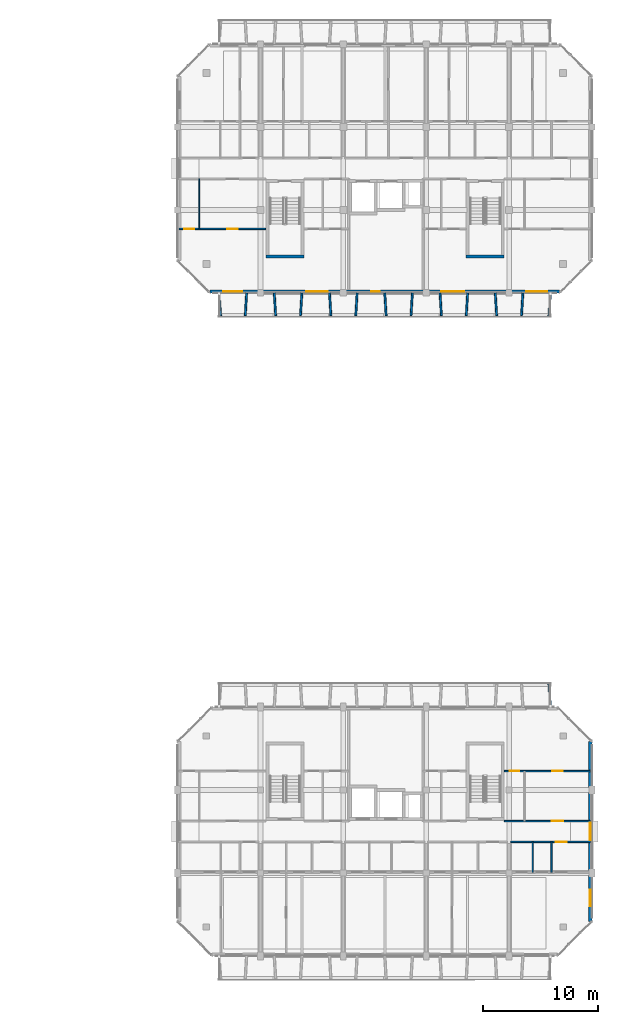
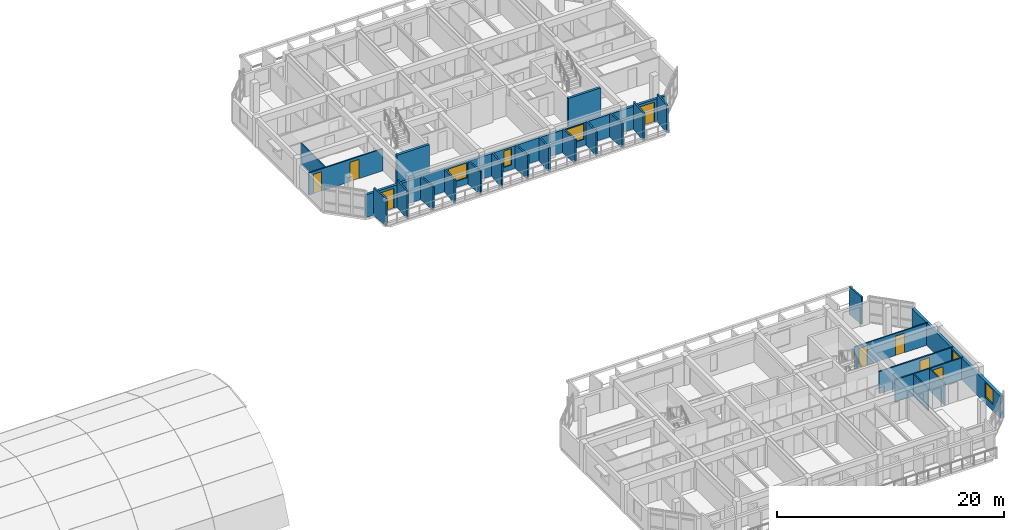
# One storey, part 32 of 51: 25 walls, 8 doors, 5 windows, 13 openings.
"""IFC4 building model written with IfcOpenShell, lengths in metres."""

from ifc_helpers import new_model, si_unit, direction, frame, frame_2d, origin, place, context, subcontext, project, spatial, rectangle, extrude, material, layer, layer_set, type_object, element, fill, save


model = new_model("IFC4")

# Units and contexts
model_context = context("Model", 3, precision=1e-05, world=origin(), true_north=direction((0.0, 1.0)))
body_context = subcontext(model_context, "Body", "Model", "MODEL_VIEW")
ifc_project = project(units=[si_unit("LENGTHUNIT", "METRE"), si_unit("AREAUNIT", "SQUARE_METRE"), si_unit("VOLUMEUNIT", "CUBIC_METRE"), si_unit("PLANEANGLEUNIT", "RADIAN"), si_unit("MASSUNIT", "GRAM", prefix="KILO")], contexts=[model_context])

# Site, building, storey
site_placement = place(None, origin())
site = spatial("IfcSite", under=ifc_project, at=site_placement, CompositionType="ELEMENT")
building_placement = place(site_placement, origin())
building = spatial("IfcBuilding", under=site, at=building_placement, Name="Ochrevale Crest", CompositionType="ELEMENT")
storey_placement = place(building_placement, frame((0.0, 0.0, 11.85009765625)))
storey = spatial("IfcBuildingStorey", under=building, at=storey_placement, Name="L03", CompositionType="ELEMENT", Elevation=11.85009765625)

# Wall, opening, door
ifc_material_1 = material(Name="Gypsum plasterboard", Category="gypsum")
ifc_layer_1 = layer(ifc_material_1, 0.139892578125)
ifc_layer_set_1 = layer_set([ifc_layer_1], Name="Gypsum plasterboard")
wall_type_1 = type_object("IfcWallType", Name="WL-COR-140", PredefinedType="PARTITIONING", material=ifc_layer_set_1)
wall_1_placement = place(storey_placement, frame((158.5400390625, 24.300048828125, 0.0), z_axis=(0.0, 0.0, 1.0), x_axis=(1.0, 0.0, 0.0)))
wall_1 = element("IfcWall", 1, at=wall_1_placement, inside=storey, type_object=wall_type_1, Name="Apartment C-L03-U5 corridor wall", PredefinedType="PARTITIONING", context=body_context, shape_type="SweptSolid", body=[
    extrude(rectangle(XDim=6.919921875, YDim=0.139892578125, at=frame_2d((3.4599609375, 0.0))), origin(), (0.0, 0.0, 1.0), 2.3798828125),
])
opening_1_placement = place(wall_1_placement, frame((3.89501953125, 0.0, 0.0)))
opening_1 = element("IfcOpeningElement", 2, at=opening_1_placement, cuts=wall_1, Name="Opening FD01", PredefinedType="OPENING", context=body_context, shape_type="SweptSolid", body=[
    extrude(rectangle(XDim=0.97998046875, YDim=2.10009765625, at=frame_2d((0.489990234375, 1.050048828125))), frame((0.0, 0.080078125, 0.0), z_axis=(0.0, -1.0, 0.0), x_axis=(1.0, 0.0, 0.0)), (0.0, 0.0, 1.0), 0.159912109375),
])
ifc_material_2 = material(Name="Solid-core FSC hardwood", Category="wood")
door_type_1 = type_object("IfcDoorType", Name="DR-APT-950", OperationType="NOTDEFINED", PredefinedType="DOOR", material=ifc_material_2)
door_1_placement = place(opening_1_placement, origin())
door_1 = element("IfcDoor", 3, at=door_1_placement, inside=storey, type_object=door_type_1, Name="Apartment C-L03-U5 entrance door", OperationType="SINGLE_SWING_LEFT", OverallHeight=2.10009765625, OverallWidth=0.97998046875, PredefinedType="DOOR", context=body_context, shape_type="SweptSolid", body=[
    extrude(rectangle(XDim=0.97998046875, YDim=2.10009765625, at=frame_2d((0.489990234375, 1.050048828125))), frame((0.0, 0.02490234375, 0.0), z_axis=(0.0, -1.0, 0.0), x_axis=(1.0, 0.0, 0.0)), (0.0, 0.0, 1.0), 0.050048828125),
])
fill(opening_1, door_1)

wall_2_placement = place(storey_placement, frame((157.989990234375, 26.10009765625, 0.0), z_axis=(0.0, 0.0, 1.0), x_axis=(1.0, 0.0, 0.0)))
wall_2 = element("IfcWall", 4, at=wall_2_placement, inside=storey, type_object=wall_type_1, Name="Suite C-L03-CE corridor wall", PredefinedType="PARTITIONING", context=body_context, shape_type="SweptSolid", body=[
    extrude(rectangle(XDim=7.469970703125, YDim=0.139892578125, at=frame_2d((3.73486328125, 0.0))), origin(), (0.0, 0.0, 1.0), 2.3798828125),
])
opening_2_placement = place(wall_2_placement, frame((5.10009765625, 0.0, 0.0), z_axis=(0.0, 0.0, 1.0), x_axis=(-1.0, 0.0, 0.0)))
opening_2 = element("IfcOpeningElement", 5, at=opening_2_placement, cuts=wall_2, Name="Opening FD01", PredefinedType="OPENING", context=body_context, shape_type="SweptSolid", body=[
    extrude(rectangle(XDim=0.97998046875, YDim=2.10009765625, at=frame_2d((0.489990234375, 1.050048828125))), frame((0.0, 0.080078125, 0.0), z_axis=(0.0, -1.0, 0.0), x_axis=(1.0, 0.0, 0.0)), (0.0, 0.0, 1.0), 0.159912109375),
])
door_2_placement = place(opening_2_placement, origin())
door_2 = element("IfcDoor", 6, at=door_2_placement, inside=storey, type_object=door_type_1, Name="Suite C-L03-CE entrance door", OperationType="SINGLE_SWING_RIGHT", OverallHeight=2.10009765625, OverallWidth=0.97998046875, PredefinedType="DOOR", context=body_context, shape_type="SweptSolid", body=[
    extrude(rectangle(XDim=0.97998046875, YDim=2.10009765625, at=frame_2d((0.489990234375, 1.050048828125))), frame((0.0, 0.02490234375, 0.0), z_axis=(0.0, -1.0, 0.0), x_axis=(1.0, 0.0, 0.0)), (0.0, 0.0, 1.0), 0.050048828125),
])
fill(opening_2, door_2)

# Walls
ifc_material_3 = material(Name="Precast concrete C50/60", Category="concrete")
ifc_layer_2 = layer(ifc_material_3, 0.2548828125)
ifc_layer_set_2 = layer_set([ifc_layer_2], Name="Precast concrete C50/60")
wall_type_2 = type_object("IfcWallType", Name="WL-CORE-255", PredefinedType="SHEAR", material=ifc_layer_set_2)
for number, where, z_axis, x_axis, name in (
    (7, (137.2724609375, 75.14990234375, 0.0), (0.0, 0.0, 1.0), (1.0, 0.0, 0.0), "Block D L03 Stair 1 precast core shear wall S"),
    (8, (154.672607421875, 75.14990234375, 0.0), (0.0, 0.0, 1.0), (1.0, 0.0, 0.0), "Block D L03 Stair 2 precast core shear wall S"),
):
    element("IfcWall", number, at=place(storey_placement, frame(where, z_axis=z_axis, x_axis=x_axis)), inside=storey, type_object=wall_type_2, Name=name, PredefinedType="SHEAR", context=body_context, shape_type="SweptSolid", body=[
        extrude(rectangle(XDim=3.304931640625, YDim=0.2548828125, at=frame_2d((1.65234375, 0.0))), origin(), (0.0, 0.0, 1.0), 3.14990234375),
    ])

# Wall, openings, windows
ifc_material_4 = material(Name="Clay face brickwork", Category="masonry")
ifc_layer_3 = layer(ifc_material_4, 0.2900390625)
ifc_layer_set_3 = layer_set([ifc_layer_3], Name="Clay face brickwork")
wall_type_3 = type_object("IfcWallType", Name="WL-EXT-BRICK-290", PredefinedType="SOLIDWALL", material=ifc_layer_set_3)
wall_3_placement = place(storey_placement, frame((165.455078125, 17.39990234375, 0.0), z_axis=(0.0, 0.0, 1.0), x_axis=(0.0, 1.0, 0.0)))
wall_3 = element("IfcWall", 9, at=wall_3_placement, inside=storey, type_object=wall_type_3, Name="Block C L03 external facade wall E3", PredefinedType="SOLIDWALL", context=body_context, shape_type="SweptSolid", body=[
    extrude(rectangle(XDim=15.60009765625, YDim=0.2900390625, at=frame_2d((7.800048828125, 0.0))), origin(), (0.0, 0.0, 1.0), 2.3798828125),
])
opening_3_placement = place(wall_3_placement, frame((7.050048828125, 0.0, 1.050048828125)))
opening_3 = element("IfcOpeningElement", 10, at=opening_3_placement, cuts=wall_3, Name="Opening W18", PredefinedType="OPENING", context=body_context, shape_type="SweptSolid", body=[
    extrude(rectangle(XDim=1.5, YDim=1.14990234375, at=frame_2d((0.75, 0.574951171875))), frame((0.0, 0.155029296875, 0.0), z_axis=(0.0, -1.0, 0.0), x_axis=(1.0, 0.0, 0.0)), (0.0, 0.0, 1.0), 0.31005859375),
])
opening_4_placement = place(wall_3_placement, frame((1.300048828125, 0.0, 0.669921875)))
opening_4 = element("IfcOpeningElement", 11, at=opening_4_placement, cuts=wall_3, Name="Opening W31", PredefinedType="OPENING", context=body_context, shape_type="SweptSolid", body=[
    extrude(rectangle(XDim=1.419921875, YDim=1.60009765625, at=frame_2d((0.7099609375, 0.800048828125))), frame((0.0, 0.155029296875, 0.0), z_axis=(0.0, -1.0, 0.0), x_axis=(1.0, 0.0, 0.0)), (0.0, 0.0, 1.0), 0.31005859375),
])
ifc_material_5 = material(Name="Anodised aluminium 6063-T5 and low-E double glazing", Category="aluminium")
window_type_1 = type_object("IfcWindowType", Name="WIN-W18", PartitioningType="SINGLE_PANEL", PredefinedType="WINDOW", material=ifc_material_5)
window_1_placement = place(opening_3_placement, origin())
window_1 = element("IfcWindow", 12, at=window_1_placement, inside=storey, type_object=window_type_1, Name="Block C L03 corridor end daylight window E", OverallHeight=1.14990234375, OverallWidth=1.5, PartitioningType="SINGLE_PANEL", PredefinedType="WINDOW", context=body_context, shape_type="SweptSolid", body=[
    extrude(rectangle(XDim=1.5, YDim=1.14990234375, at=frame_2d((0.75, 0.574951171875))), frame((0.0, 0.030029296875, 0.0), z_axis=(0.0, -1.0, 0.0), x_axis=(1.0, 0.0, 0.0)), (0.0, 0.0, 1.0), 0.06005859375),
])
fill(opening_3, window_1)
window_type_2 = type_object("IfcWindowType", Name="WIN-W31", PartitioningType="SINGLE_PANEL", PredefinedType="WINDOW", material=ifc_material_5)
window_2_placement = place(opening_4_placement, origin())
window_2 = element("IfcWindow", 13, at=window_2_placement, inside=storey, type_object=window_type_2, Name="Block C L03 side suite window E", OverallHeight=1.60009765625, OverallWidth=1.419921875, PartitioningType="SINGLE_PANEL", PredefinedType="WINDOW", context=body_context, shape_type="SweptSolid", body=[
    extrude(rectangle(XDim=1.419921875, YDim=1.60009765625, at=frame_2d((0.7099609375, 0.800048828125))), frame((0.0, 0.030029296875, 0.0), z_axis=(0.0, -1.0, 0.0), x_axis=(1.0, 0.0, 0.0)), (0.0, 0.0, 1.0), 0.06005859375),
])
fill(opening_4, window_2)

# Wall, openings, doors, windows
ifc_material_6 = material(Name="Precast concrete C40/50", Category="concrete")
ifc_layer_4 = layer(ifc_material_6, 0.25)
ifc_layer_set_4 = layer_set([ifc_layer_4], Name="Precast concrete C40/50")
wall_type_4 = type_object("IfcWallType", Name="WL-EXT-GOLD-250", PredefinedType="SOLIDWALL", material=ifc_layer_set_4)
wall_4_placement = place(storey_placement, frame((132.39990234375, 72.125, 0.0), z_axis=(0.0, 0.0, 1.0), x_axis=(1.0, 0.0, 0.0)))
wall_4 = element("IfcWall", 14, at=wall_4_placement, inside=storey, type_object=wall_type_4, Name="Block D L03 external facade wall E1", PredefinedType="SOLIDWALL", context=body_context, shape_type="SweptSolid", body=[
    extrude(rectangle(XDim=30.400146484375, YDim=0.25, at=frame_2d((15.2001953125, 0.0))), origin(), (0.0, 0.0, 1.0), 2.429931640625),
])
opening_5_placement = place(wall_4_placement, frame((2.824951171875, 0.0, 0.0), z_axis=(0.0, 0.0, 1.0), x_axis=(-1.0, 0.0, 0.0)))
opening_5 = element("IfcOpeningElement", 15, at=opening_5_placement, cuts=wall_4, Name="Opening BD02", PredefinedType="OPENING", context=body_context, shape_type="SweptSolid", body=[
    extrude(rectangle(XDim=1.64990234375, YDim=2.14990234375, at=frame_2d((0.824951171875, 1.074951171875))), frame((0.0, 0.135009765625, 0.0), z_axis=(0.0, -1.0, 0.0), x_axis=(1.0, 0.0, 0.0)), (0.0, 0.0, 1.0), 0.27001953125),
])
opening_6_placement = place(wall_4_placement, frame((29.300048828125, 0.0, 0.0), z_axis=(0.0, 0.0, 1.0), x_axis=(-1.0, 0.0, 0.0)))
opening_6 = element("IfcOpeningElement", 16, at=opening_6_placement, cuts=wall_4, Name="Opening BD03", PredefinedType="OPENING", context=body_context, shape_type="SweptSolid", body=[
    extrude(rectangle(XDim=1.800048828125, YDim=2.14990234375, at=frame_2d((0.89990234375, 1.074951171875))), frame((0.0, 0.135009765625, 0.0), z_axis=(0.0, -1.0, 0.0), x_axis=(1.0, 0.0, 0.0)), (0.0, 0.0, 1.0), 0.27001953125),
])
opening_7_placement = place(wall_4_placement, frame((14.02001953125, 0.0, 0.5)))
opening_7 = element("IfcOpeningElement", 17, at=opening_7_placement, cuts=wall_4, Name="Opening W16", PredefinedType="OPENING", context=body_context, shape_type="SweptSolid", body=[
    extrude(rectangle(XDim=0.75, YDim=1.75, at=frame_2d((0.375, 0.875))), frame((0.0, 0.135009765625, 0.0), z_axis=(0.0, -1.0, 0.0), x_axis=(1.0, 0.0, 0.0)), (0.0, 0.0, 1.0), 0.27001953125),
])
opening_8_placement = place(wall_4_placement, frame((20.125, 0.0, 0.669921875)))
opening_8 = element("IfcOpeningElement", 18, at=opening_8_placement, cuts=wall_4, Name="Opening W12", PredefinedType="OPENING", context=body_context, shape_type="SweptSolid", body=[
    extrude(rectangle(XDim=2.0, YDim=1.64990234375, at=frame_2d((1.0, 0.824951171875))), frame((0.0, 0.135009765625, 0.0), z_axis=(0.0, -1.0, 0.0), x_axis=(1.0, 0.0, 0.0)), (0.0, 0.0, 1.0), 0.27001953125),
])
opening_9_placement = place(wall_4_placement, frame((8.3701171875, 0.0, 0.699951171875)))
opening_9 = element("IfcOpeningElement", 19, at=opening_9_placement, cuts=wall_4, Name="Opening W11", PredefinedType="OPENING", context=body_context, shape_type="SweptSolid", body=[
    extrude(rectangle(XDim=1.860107421875, YDim=1.60009765625, at=frame_2d((0.93017578125, 0.800048828125))), frame((0.0, 0.135009765625, 0.0), z_axis=(0.0, -1.0, 0.0), x_axis=(1.0, 0.0, 0.0)), (0.0, 0.0, 1.0), 0.27001953125),
])
ifc_material_7 = material(Name="Anodised aluminium 6063-T5 and toughened glass", Category="aluminium")
door_type_2 = type_object("IfcDoorType", Name="DR-BAL-1650", OperationType="NOTDEFINED", PredefinedType="DOOR", material=ifc_material_7)
door_3_placement = place(opening_5_placement, origin())
door_3 = element("IfcDoor", 20, at=door_3_placement, inside=storey, type_object=door_type_2, Name="Block D L03 balcony door S1", OperationType="SINGLE_SWING_LEFT", OverallHeight=2.14990234375, OverallWidth=1.64990234375, PredefinedType="DOOR", context=body_context, shape_type="SweptSolid", body=[
    extrude(rectangle(XDim=1.64990234375, YDim=2.14990234375, at=frame_2d((0.824951171875, 1.074951171875))), frame((0.0, 0.02490234375, 0.0), z_axis=(0.0, -1.0, 0.0), x_axis=(1.0, 0.0, 0.0)), (0.0, 0.0, 1.0), 0.050048828125),
])
fill(opening_5, door_3)
door_type_3 = type_object("IfcDoorType", Name="DR-BAL-1800", OperationType="NOTDEFINED", PredefinedType="DOOR", material=ifc_material_7)
door_4_placement = place(opening_6_placement, origin())
door_4 = element("IfcDoor", 21, at=door_4_placement, inside=storey, type_object=door_type_3, Name="Block D L03 balcony door S5", OperationType="SINGLE_SWING_RIGHT", OverallHeight=2.14990234375, OverallWidth=1.800048828125, PredefinedType="DOOR", context=body_context, shape_type="SweptSolid", body=[
    extrude(rectangle(XDim=1.800048828125, YDim=2.14990234375, at=frame_2d((0.89990234375, 1.074951171875))), frame((0.0, 0.02490234375, 0.0), z_axis=(0.0, -1.0, 0.0), x_axis=(1.0, 0.0, 0.0)), (0.0, 0.0, 1.0), 0.050048828125),
])
fill(opening_6, door_4)
window_type_3 = type_object("IfcWindowType", Name="WIN-W11", PartitioningType="SINGLE_PANEL", PredefinedType="WINDOW", material=ifc_material_5)
window_3_placement = place(opening_9_placement, origin())
window_3 = element("IfcWindow", 22, at=window_3_placement, inside=storey, type_object=window_type_3, Name="Block D L03 Suite D-L03-MW Courtyard Studio Living window", OverallHeight=1.60009765625, OverallWidth=1.860107421875, PartitioningType="SINGLE_PANEL", PredefinedType="WINDOW", context=body_context, shape_type="SweptSolid", body=[
    extrude(rectangle(XDim=1.860107421875, YDim=1.60009765625, at=frame_2d((0.93017578125, 0.800048828125))), frame((0.0, 0.030029296875, 0.0), z_axis=(0.0, -1.0, 0.0), x_axis=(1.0, 0.0, 0.0)), (0.0, 0.0, 1.0), 0.06005859375),
])
fill(opening_9, window_3)
window_type_4 = type_object("IfcWindowType", Name="WIN-W12", PartitioningType="SINGLE_PANEL", PredefinedType="WINDOW", material=ifc_material_5)
window_4_placement = place(opening_8_placement, origin())
window_4 = element("IfcWindow", 23, at=window_4_placement, inside=storey, type_object=window_type_4, Name="Block D L03 Suite D-L03-ME Garden Alcove Studio window", OverallHeight=1.64990234375, OverallWidth=2.0, PartitioningType="SINGLE_PANEL", PredefinedType="WINDOW", context=body_context, shape_type="SweptSolid", body=[
    extrude(rectangle(XDim=2.0, YDim=1.64990234375, at=frame_2d((1.0, 0.824951171875))), frame((0.0, 0.030029296875, 0.0), z_axis=(0.0, -1.0, 0.0), x_axis=(1.0, 0.0, 0.0)), (0.0, 0.0, 1.0), 0.06005859375),
])
fill(opening_8, window_4)
window_type_5 = type_object("IfcWindowType", Name="WIN-W16", PartitioningType="SINGLE_PANEL", PredefinedType="WINDOW", material=ifc_material_5)
window_5_placement = place(opening_7_placement, origin())
window_5 = element("IfcWindow", 24, at=window_5_placement, inside=storey, type_object=window_type_5, Name="Block D L03 core lancet window", OverallHeight=1.75, OverallWidth=0.75, PartitioningType="SINGLE_PANEL", PredefinedType="WINDOW", context=body_context, shape_type="SweptSolid", body=[
    extrude(rectangle(XDim=0.75, YDim=1.75, at=frame_2d((0.375, 0.875))), frame((0.0, 0.030029296875, 0.0), z_axis=(0.0, -1.0, 0.0), x_axis=(1.0, 0.0, 0.0)), (0.0, 0.0, 1.0), 0.06005859375),
])
fill(opening_7, window_5)

# Walls
ifc_layer_5 = layer(ifc_material_6, 0.1650390625)
ifc_layer_set_5 = layer_set([ifc_layer_5], Name="Precast concrete C40/50")
wall_type_5 = type_object("IfcWallType", Name="WL-HC-CHEEK-165", PredefinedType="ELEMENTEDWALL", material=ifc_layer_set_5)
for number, where, z_axis, x_axis, name in (
    (25, (162.0, 36.02001953125, 0.0), (0.0, 0.0, 1.0), (-0.071194071069, 0.997462482625, 0.0), "Block C L03 N precast honeycomb cheek 13"),
    (26, (133.199951171875, 71.97998046875, 0.0), (0.0, 0.0, 1.0), (0.071317687608, -0.997453651772, 0.0), "Block D L03 S precast honeycomb cheek 1"),
):
    element("IfcWall", number, at=place(storey_placement, frame(where, z_axis=z_axis, x_axis=x_axis)), inside=storey, type_object=wall_type_5, Name=name, PredefinedType="ELEMENTEDWALL", context=body_context, shape_type="SweptSolid", body=[
        extrude(rectangle(XDim=1.96484375, YDim=0.1650390625, at=frame_2d((0.982421875, 0.0))), origin(), (0.0, 0.0, 1.0), 2.949951171875),
    ])
wall_5_placement = place(storey_placement, frame((135.60009765625, 71.97998046875, 0.0), z_axis=(0.0, 0.0, 1.0), x_axis=(-0.061170732449, -0.998127317276, 0.0)))
element("IfcWall", 27, at=wall_5_placement, inside=storey, type_object=wall_type_5, Name="Block D L03 S precast honeycomb cheek 2", PredefinedType="ELEMENTEDWALL", context=body_context, shape_type="SweptSolid", body=[
    extrude(rectangle(XDim=1.963623046875, YDim=0.1650390625, at=frame_2d((0.98193359375, 0.0))), origin(), (0.0, 0.0, 1.0), 2.949951171875),
])
for number, where, z_axis, x_axis, name in (
    (28, (138.0, 71.97998046875, 0.0), (0.0, 0.0, 1.0), (0.061170732449, -0.998127317276, 0.0), "Block D L03 S precast honeycomb cheek 3"),
    (29, (140.39990234375, 71.97998046875, 0.0), (0.0, 0.0, 1.0), (-0.061046865508, -0.998134900808, 0.0), "Block D L03 S precast honeycomb cheek 4"),
    (30, (142.800048828125, 71.97998046875, 0.0), (0.0, 0.0, 1.0), (0.061046865508, -0.998134900808, 0.0), "Block D L03 S precast honeycomb cheek 5"),
):
    element("IfcWall", number, at=place(storey_placement, frame(where, z_axis=z_axis, x_axis=x_axis)), inside=storey, type_object=wall_type_5, Name=name, PredefinedType="ELEMENTEDWALL", context=body_context, shape_type="SweptSolid", body=[
        extrude(rectangle(XDim=1.963623046875, YDim=0.1650390625, at=frame_2d((0.98193359375, 0.0))), origin(), (0.0, 0.0, 1.0), 2.47998046875),
    ])
for number, where, z_axis, x_axis, name in (
    (31, (145.199951171875, 71.97998046875, 0.0), (0.0, 0.0, 1.0), (-0.061046865508, -0.998134900808, 0.0), "Block D L03 S precast honeycomb cheek 6"),
    (32, (147.60009765625, 71.97998046875, 0.0), (0.0, 0.0, 1.0), (0.061046865508, -0.998134900808, 0.0), "Block D L03 S precast honeycomb cheek 7"),
    (33, (150.0, 71.97998046875, 0.0), (0.0, 0.0, 1.0), (-0.061170732449, -0.998127317276, 0.0), "Block D L03 S precast honeycomb cheek 8"),
):
    element("IfcWall", number, at=place(storey_placement, frame(where, z_axis=z_axis, x_axis=x_axis)), inside=storey, type_object=wall_type_5, Name=name, PredefinedType="ELEMENTEDWALL", context=body_context, shape_type="SweptSolid", body=[
        extrude(rectangle(XDim=1.963623046875, YDim=0.1650390625, at=frame_2d((0.98193359375, 0.0))), origin(), (0.0, 0.0, 1.0), 2.5498046875),
    ])
for number, where, z_axis, x_axis, name in (
    (34, (152.39990234375, 71.97998046875, 0.0), (0.0, 0.0, 1.0), (0.061170732449, -0.998127317276, 0.0), "Block D L03 S precast honeycomb cheek 9"),
    (35, (154.800048828125, 71.97998046875, 0.0), (0.0, 0.0, 1.0), (-0.061170732449, -0.998127317276, 0.0), "Block D L03 S precast honeycomb cheek 10"),
    (36, (157.199951171875, 71.97998046875, 0.0), (0.0, 0.0, 1.0), (0.061170732449, -0.998127317276, 0.0), "Block D L03 S precast honeycomb cheek 11"),
):
    element("IfcWall", number, at=place(storey_placement, frame(where, z_axis=z_axis, x_axis=x_axis)), inside=storey, type_object=wall_type_5, Name=name, PredefinedType="ELEMENTEDWALL", context=body_context, shape_type="SweptSolid", body=[
        extrude(rectangle(XDim=1.963623046875, YDim=0.1650390625, at=frame_2d((0.98193359375, 0.0))), origin(), (0.0, 0.0, 1.0), 2.579833984375),
    ])
wall_6_placement = place(storey_placement, frame((159.60009765625, 71.97998046875, 0.0), z_axis=(0.0, 0.0, 1.0), x_axis=(-0.061170732449, -0.998127317276, 0.0)))
element("IfcWall", 37, at=wall_6_placement, inside=storey, type_object=wall_type_5, Name="Block D L03 S precast honeycomb cheek 12", PredefinedType="ELEMENTEDWALL", context=body_context, shape_type="SweptSolid", body=[
    extrude(rectangle(XDim=1.963623046875, YDim=0.1650390625, at=frame_2d((0.98193359375, 0.0))), origin(), (0.0, 0.0, 1.0), 2.949951171875),
])
wall_7_placement = place(storey_placement, frame((162.0, 71.97998046875, 0.0), z_axis=(0.0, 0.0, 1.0), x_axis=(-0.071194071069, -0.997462482625, 0.0)))
element("IfcWall", 38, at=wall_7_placement, inside=storey, type_object=wall_type_5, Name="Block D L03 S precast honeycomb cheek 13", PredefinedType="ELEMENTEDWALL", context=body_context, shape_type="SweptSolid", body=[
    extrude(rectangle(XDim=1.96484375, YDim=0.1650390625, at=frame_2d((0.982421875, 0.0))), origin(), (0.0, 0.0, 1.0), 2.949951171875),
])
ifc_layer_6 = layer(ifc_material_1, 0.1201171875)
ifc_layer_set_6 = layer_set([ifc_layer_6], Name="Gypsum plasterboard")
wall_type_6 = type_object("IfcWallType", Name="WL-PART-120", PredefinedType="PARTITIONING", material=ifc_layer_set_6)
wall_8_placement = place(storey_placement, frame((162.10009765625, 21.64990234375, 0.0), z_axis=(0.0, 0.0, 1.0), x_axis=(0.0, 1.0, 0.0)))
element("IfcWall", 39, at=wall_8_placement, inside=storey, type_object=wall_type_6, Name="Apartment C-L03-U5 kitchen-foyer wall", PredefinedType="PARTITIONING", context=body_context, shape_type="SweptSolid", body=[
    extrude(rectangle(XDim=2.650146484375, YDim=0.1201171875, at=frame_2d((1.3251953125, 0.0))), origin(), (0.0, 0.0, 1.0), 2.375),
])

# Wall, openings, doors
wall_9_placement = place(storey_placement, frame((157.989990234375, 30.449951171875, 0.0), z_axis=(0.0, 0.0, 1.0), x_axis=(1.0, 0.0, 0.0)))
wall_9 = element("IfcWall", 40, at=wall_9_placement, inside=storey, type_object=wall_type_6, Name="Suite C-L03-CE internal wall", PredefinedType="PARTITIONING", context=body_context, shape_type="SweptSolid", body=[
    extrude(rectangle(XDim=7.469970703125, YDim=0.1201171875, at=frame_2d((3.73486328125, 0.0))), origin(), (0.0, 0.0, 1.0), 2.3798828125),
])
opening_10_placement = place(wall_9_placement, frame((0.449951171875, 0.0, 0.0)))
opening_10 = element("IfcOpeningElement", 41, at=opening_10_placement, cuts=wall_9, Name="Opening ID01", PredefinedType="OPENING", context=body_context, shape_type="SweptSolid", body=[
    extrude(rectangle(XDim=0.85009765625, YDim=2.080078125, at=frame_2d((0.425048828125, 1.0400390625))), frame((0.0, 0.070068359375, 0.0), z_axis=(0.0, -1.0, 0.0), x_axis=(1.0, 0.0, 0.0)), (0.0, 0.0, 1.0), 0.14013671875),
])
opening_11_placement = place(wall_9_placement, frame((5.06982421875, 0.0, 0.0), z_axis=(0.0, 0.0, 1.0), x_axis=(-1.0, 0.0, 0.0)))
opening_11 = element("IfcOpeningElement", 42, at=opening_11_placement, cuts=wall_9, Name="Opening ID04", PredefinedType="OPENING", context=body_context, shape_type="SweptSolid", body=[
    extrude(rectangle(XDim=0.919921875, YDim=2.080078125, at=frame_2d((0.4599609375, 1.0400390625))), frame((0.0, 0.070068359375, 0.0), z_axis=(0.0, -1.0, 0.0), x_axis=(1.0, 0.0, 0.0)), (0.0, 0.0, 1.0), 0.14013671875),
])
door_type_4 = type_object("IfcDoorType", Name="DR-INT-920", OperationType="NOTDEFINED", PredefinedType="DOOR", material=ifc_material_2)
door_5_placement = place(opening_11_placement, origin())
door_5 = element("IfcDoor", 43, at=door_5_placement, inside=storey, type_object=door_type_4, Name="Suite C-L03-CE Master Bedroom door", OperationType="SINGLE_SWING_RIGHT", OverallHeight=2.080078125, OverallWidth=0.919921875, PredefinedType="DOOR", context=body_context, shape_type="SweptSolid", body=[
    extrude(rectangle(XDim=0.919921875, YDim=2.080078125, at=frame_2d((0.4599609375, 1.0400390625))), frame((0.0, 0.02490234375, 0.0), z_axis=(0.0, -1.0, 0.0), x_axis=(1.0, 0.0, 0.0)), (0.0, 0.0, 1.0), 0.050048828125),
])
fill(opening_11, door_5)
door_type_5 = type_object("IfcDoorType", Name="DR-WC-850", OperationType="NOTDEFINED", PredefinedType="DOOR", material=ifc_material_2)
door_6_placement = place(opening_10_placement, origin())
door_6 = element("IfcDoor", 44, at=door_6_placement, inside=storey, type_object=door_type_5, Name="Suite C-L03-CE Bathroom door", OperationType="SINGLE_SWING_LEFT", OverallHeight=2.080078125, OverallWidth=0.85009765625, PredefinedType="DOOR", context=body_context, shape_type="SweptSolid", body=[
    extrude(rectangle(XDim=0.85009765625, YDim=2.080078125, at=frame_2d((0.425048828125, 1.0400390625))), frame((0.0, 0.02490234375, 0.0), z_axis=(0.0, -1.0, 0.0), x_axis=(1.0, 0.0, 0.0)), (0.0, 0.0, 1.0), 0.050048828125),
])
fill(opening_10, door_6)

wall_10_placement = place(storey_placement, frame((129.739990234375, 77.550048828125, 0.0), z_axis=(0.0, 0.0, 1.0), x_axis=(1.0, 0.0, 0.0)))
wall_10 = element("IfcWall", 45, at=wall_10_placement, inside=storey, type_object=wall_type_6, Name="Suite D-L03-CW internal wall", PredefinedType="PARTITIONING", context=body_context, shape_type="SweptSolid", body=[
    extrude(rectangle(XDim=7.52001953125, YDim=0.1201171875, at=frame_2d((3.760009765625, 0.0))), origin(), (0.0, 0.0, 1.0), 2.3798828125),
])
opening_12_placement = place(wall_10_placement, frame((1.300048828125, 0.0, 0.0), z_axis=(0.0, 0.0, 1.0), x_axis=(-1.0, 0.0, 0.0)))
opening_12 = element("IfcOpeningElement", 46, at=opening_12_placement, cuts=wall_10, Name="Opening ID01", PredefinedType="OPENING", context=body_context, shape_type="SweptSolid", body=[
    extrude(rectangle(XDim=0.85009765625, YDim=2.080078125, at=frame_2d((0.425048828125, 1.0400390625))), frame((0.0, 0.070068359375, 0.0), z_axis=(0.0, -1.0, 0.0), x_axis=(1.0, 0.0, 0.0)), (0.0, 0.0, 1.0), 0.14013671875),
])
opening_13_placement = place(wall_10_placement, frame((4.175048828125, 0.0, 0.0)))
opening_13 = element("IfcOpeningElement", 47, at=opening_13_placement, cuts=wall_10, Name="Opening ID04", PredefinedType="OPENING", context=body_context, shape_type="SweptSolid", body=[
    extrude(rectangle(XDim=0.919921875, YDim=2.080078125, at=frame_2d((0.4599609375, 1.0400390625))), frame((0.0, 0.070068359375, 0.0), z_axis=(0.0, -1.0, 0.0), x_axis=(1.0, 0.0, 0.0)), (0.0, 0.0, 1.0), 0.14013671875),
])
door_7_placement = place(opening_13_placement, origin())
door_7 = element("IfcDoor", 48, at=door_7_placement, inside=storey, type_object=door_type_4, Name="Suite D-L03-CW Garden Alcove Studio door", OperationType="SINGLE_SWING_LEFT", OverallHeight=2.080078125, OverallWidth=0.919921875, PredefinedType="DOOR", context=body_context, shape_type="SweptSolid", body=[
    extrude(rectangle(XDim=0.919921875, YDim=2.080078125, at=frame_2d((0.4599609375, 1.0400390625))), frame((0.0, 0.02490234375, 0.0), z_axis=(0.0, -1.0, 0.0), x_axis=(1.0, 0.0, 0.0)), (0.0, 0.0, 1.0), 0.050048828125),
])
fill(opening_13, door_7)
door_8_placement = place(opening_12_placement, origin())
door_8 = element("IfcDoor", 49, at=door_8_placement, inside=storey, type_object=door_type_5, Name="Suite D-L03-CW Bathroom door", OperationType="SINGLE_SWING_RIGHT", OverallHeight=2.080078125, OverallWidth=0.85009765625, PredefinedType="DOOR", context=body_context, shape_type="SweptSolid", body=[
    extrude(rectangle(XDim=0.85009765625, YDim=2.080078125, at=frame_2d((0.425048828125, 1.0400390625))), frame((0.0, 0.02490234375, 0.0), z_axis=(0.0, -1.0, 0.0), x_axis=(1.0, 0.0, 0.0)), (0.0, 0.0, 1.0), 0.050048828125),
])
fill(opening_12, door_8)

# Walls
ifc_layer_7 = layer(ifc_material_1, 0.10009765625)
ifc_layer_set_7 = layer_set([ifc_layer_7], Name="Gypsum plasterboard")
wall_type_7 = type_object("IfcWallType", Name="WL-WET-100", PredefinedType="PARTITIONING", material=ifc_layer_set_7)
wall_11_placement = place(storey_placement, frame((160.449951171875, 21.64990234375, 0.0), z_axis=(0.0, 0.0, 1.0), x_axis=(0.0, 1.0, 0.0)))
element("IfcWall", 50, at=wall_11_placement, inside=storey, type_object=wall_type_7, Name="Apartment C-L03-U5 bath-kitchen wall", PredefinedType="PARTITIONING", context=body_context, shape_type="SweptSolid", body=[
    extrude(rectangle(XDim=2.650146484375, YDim=0.10009765625, at=frame_2d((1.3251953125, 0.0))), origin(), (0.0, 0.0, 1.0), 2.375),
])
wall_12_placement = place(storey_placement, frame((131.489990234375, 77.550048828125, 0.0), z_axis=(0.0, 0.0, 1.0), x_axis=(0.0, 1.0, 0.0)))
element("IfcWall", 51, at=wall_12_placement, inside=storey, type_object=wall_type_7, Name="Suite D-L03-CW bathroom divider", PredefinedType="PARTITIONING", context=body_context, shape_type="SweptSolid", body=[
    extrude(rectangle(XDim=4.349853515625, YDim=0.10009765625, at=frame_2d((2.1748046875, 0.0))), origin(), (0.0, 0.0, 1.0), 2.375),
])

save(model, "model.ifc")
